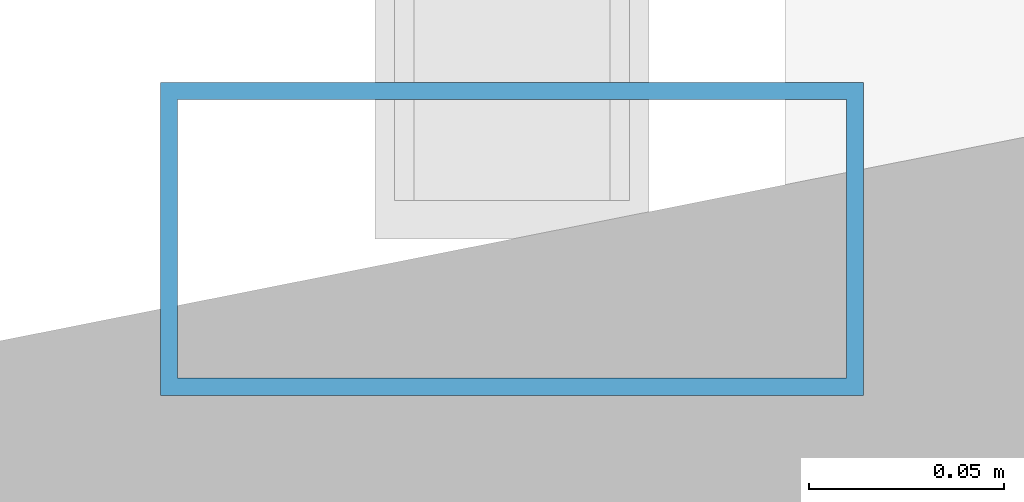
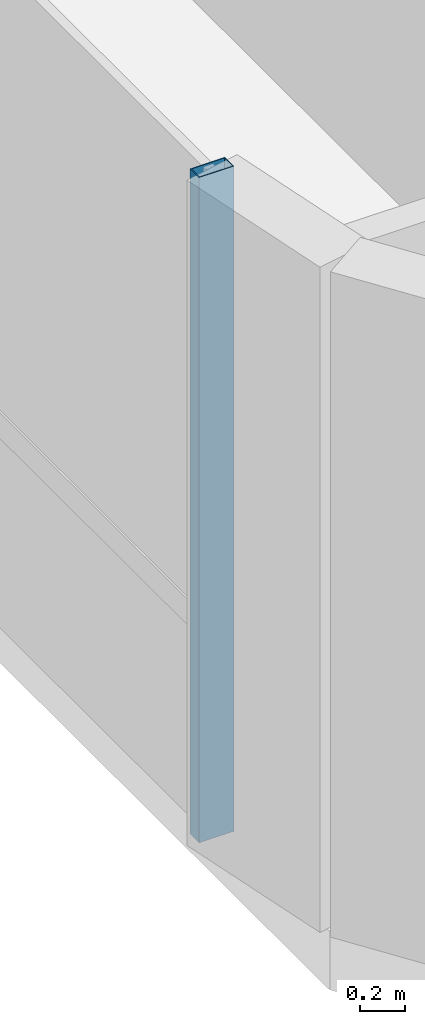
# One storey, part 9 of 36: 1 member, 1 element without a shape of its own.
"""IFC4 building model written with IfcOpenShell, lengths in metres."""

from ifc_helpers import new_model, si_unit, direction, frame, origin, origin_2d, place, context, subcontext, project, spatial, hollow_rectangle, extrude, source, transform, mapped, material, material_profile, profile_set, type_object, element, aggregate, save


model = new_model("IFC4")

# Units and contexts
model_context = context("Model", 3, precision=1e-05, world=origin(), true_north=direction((0.0, 1.0)))
body_context = subcontext(model_context, "Body", "Model", "MODEL_VIEW")
ifc_project = project(units=[si_unit("LENGTHUNIT", "METRE"), si_unit("AREAUNIT", "SQUARE_METRE"), si_unit("VOLUMEUNIT", "CUBIC_METRE"), si_unit("PLANEANGLEUNIT", "RADIAN"), si_unit("MASSUNIT", "GRAM", prefix="KILO")], contexts=[model_context])

# Site, building, storey
site_placement = place(None, origin())
site = spatial("IfcSite", under=ifc_project, at=site_placement, CompositionType="ELEMENT")
building_placement = place(site_placement, origin())
building = spatial("IfcBuilding", under=site, at=building_placement, Name="Valdorenza Pilgrim Sanctuary Tower", CompositionType="ELEMENT")
storey_placement = place(building_placement, frame((0.0, 0.0, 176.550048828125)))
storey = spatial("IfcBuildingStorey", under=building, at=storey_placement, Name="L45", CompositionType="ELEMENT", Elevation=176.550048828125)

# Curtain wall, member
ifc_material_1 = material(Name="Curtain-wall IGU glazing", Category="glass")
curtain_wall_type = type_object("IfcCurtainWallType", Name="CW-SYS-05", PredefinedType="NOTDEFINED", material=ifc_material_1)
curtain_wall_placement = place(storey_placement, origin())
curtain_wall = element("IfcCurtainWall", 1, at=curtain_wall_placement, inside=storey, type_object=curtain_wall_type, Name="L45 Curtain Wall CW-L45-1-47", PredefinedType="NOTDEFINED")
ifc_material_2 = material(Name="Anodised aluminium AW-6060", Category="aluminium")
ifc_material_profile = material_profile(ifc_material_2, hollow_rectangle(XDim=0.080078125, YDim=0.179931640625, WallThickness=0.00439453125, at=origin_2d()), Name="ALU-M 180x80x4.5")
ifc_profile_set = profile_set([ifc_material_profile], Name="Anodised aluminium AW-6060")
member_type = type_object("IfcMemberType", Name="CW-MUL-05", PredefinedType="MULLION", material=ifc_profile_set)
shared_shape = source(origin(), body_context, "Body", "SweptSolid", [
    extrude(hollow_rectangle(XDim=0.080078125, YDim=0.179931640625, WallThickness=0.00439453125, at=origin_2d()), origin(), (0.0, 0.0, 1.0), 3.6298828125),
])
member_placement = place(storey_placement, frame((13.610107421875, -9.589111328125, 0.0), z_axis=(0.0, 0.0, 1.0), x_axis=(0.0, 1.0, 0.0)))
member = element("IfcMember", 2, at=member_placement, type_object=member_type, Name="CW-L45-1-47 Mullion 1", PredefinedType="MULLION", context=body_context, shape_type="MappedRepresentation", body=[
    mapped(shared_shape, transform((0.0, 0.0, 0.0), x_axis=(1.0, 0.0, 0.0), y_axis=(0.0, 1.0, 0.0), z_axis=(0.0, 0.0, 1.0), scale=1.0)),
])
aggregate(curtain_wall, [member])

save(model, "model.ifc")
